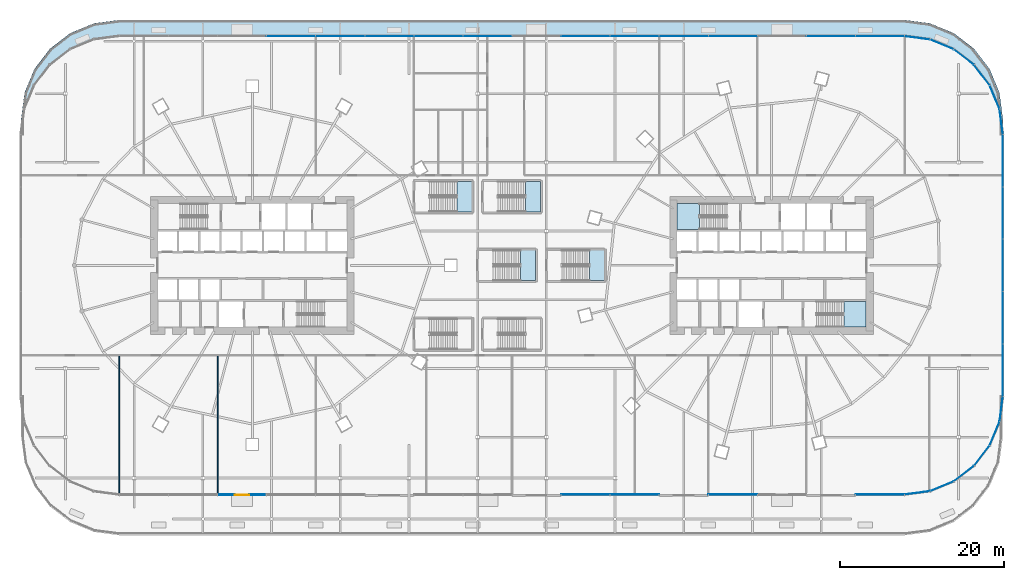
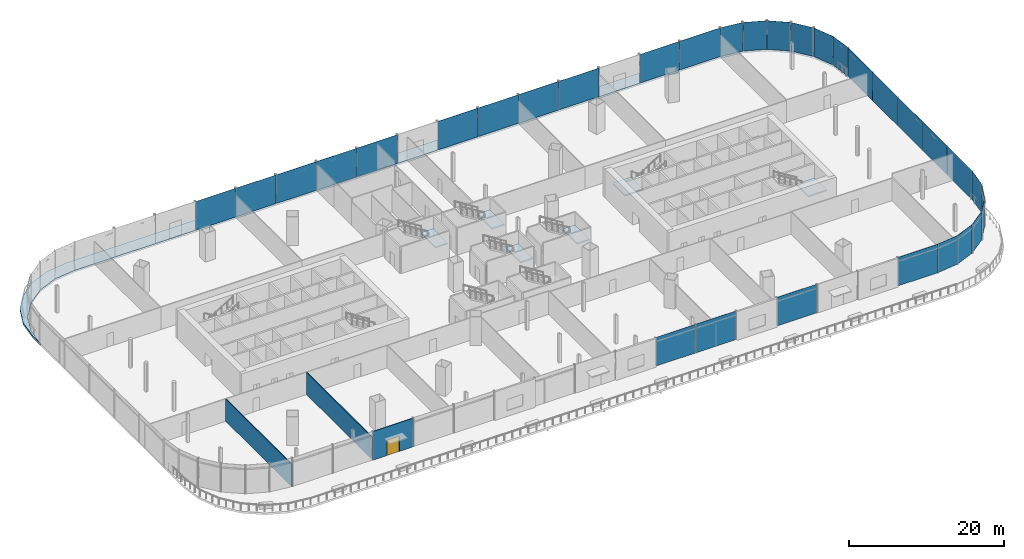
# One storey, part 32 of 52: 32 plates, 7 slabs, 3 walls, 1 door, 1 opening, 7 elements without a shape of their own.
"""IFC4 building model written with IfcOpenShell, lengths in metres."""

from ifc_helpers import new_model, si_unit, direction, frame, frame_2d, origin, origin_2d, place, context, subcontext, project, spatial, polyline, rectangle, outline, extrude, material, layer, layer_set, type_object, element, fill, aggregate, save


model = new_model("IFC4")

# Units and contexts
model_context = context("Model", 3, precision=1e-05, world=origin(), true_north=direction((0.0, 1.0)))
body_context = subcontext(model_context, "Body", "Model", "MODEL_VIEW")
ifc_project = project(units=[si_unit("LENGTHUNIT", "METRE"), si_unit("AREAUNIT", "SQUARE_METRE"), si_unit("VOLUMEUNIT", "CUBIC_METRE"), si_unit("PLANEANGLEUNIT", "RADIAN"), si_unit("MASSUNIT", "GRAM", prefix="KILO")], contexts=[model_context])

# Site, building, storey
site_placement = place(None, origin())
site = spatial("IfcSite", under=ifc_project, at=site_placement, CompositionType="ELEMENT")
building_placement = place(site_placement, origin())
building = spatial("IfcBuilding", under=site, at=building_placement, Name="Rimbun Link Towers", CompositionType="ELEMENT")
storey_placement = place(building_placement, frame((0.0, 0.0, 21.0)))
storey = spatial("IfcBuildingStorey", under=building, at=storey_placement, Name="L04", CompositionType="ELEMENT", Elevation=21.0)

# Curtain wall, plates
ifc_material_1 = material(Name="Aluminium 6063-T6 and low-iron glass", Category="aluminium")
curtain_wall_type = type_object("IfcCurtainWallType", Name="CW3 podium shopfront", PredefinedType="NOTDEFINED", material=ifc_material_1)
curtain_wall_placement = place(storey_placement, origin())
curtain_wall = element("IfcCurtainWall", 1, at=curtain_wall_placement, inside=storey, type_object=curtain_wall_type, Name="CW3 L04 PD", PredefinedType="NOTDEFINED")
ifc_material_2 = material(Name="Clear toughened low-iron glass", Category="glass")
ifc_layer_1 = layer(ifc_material_2, 0.02392578125)
ifc_layer_set_1 = layer_set([ifc_layer_1], Name="CW3 panel Clear toughened low-iron glass 24")
plate_type = type_object("IfcPlateType", Name="CW3 panel Clear toughened low-iron glass 24", PredefinedType="CURTAIN_PANEL", material=ifc_layer_set_1)
plate_1_placement = place(storey_placement, frame((49.554443359375, -27.807373046875, 0.0), z_axis=(0.0, 0.0, 1.0), x_axis=(-0.991444296525, -0.130530482602, 0.0)))
plate_1 = element("IfcPlate", 2, at=plate_1_placement, type_object=plate_type, Name="CW3 panel", PredefinedType="CURTAIN_PANEL", context=body_context, shape_type="SweptSolid", body=[
    extrude(rectangle(XDim=3.092529296875, YDim=0.02392578125, at=origin_2d()), origin(), (0.0, 0.0, 1.0), 4.5),
])
plate_2_placement = place(storey_placement, frame((52.557373046875, -27.002685546875, 0.0), z_axis=(0.0, 0.0, 1.0), x_axis=(-0.923881438965, -0.382678829747, 0.0)))
plate_2 = element("IfcPlate", 3, at=plate_2_placement, type_object=plate_type, Name="CW3 panel", PredefinedType="CURTAIN_PANEL", context=body_context, shape_type="SweptSolid", body=[
    extrude(rectangle(XDim=3.0927734375, YDim=0.02392578125, at=origin_2d()), origin(), (0.0, 0.0, 1.0), 4.5),
])
plate_3_placement = place(storey_placement, frame((55.25, -25.4482421875, 0.0), z_axis=(0.0, 0.0, 1.0), x_axis=(-0.793359162281, -0.608753841569, 0.0)))
plate_3 = element("IfcPlate", 4, at=plate_3_placement, type_object=plate_type, Name="CW3 panel", PredefinedType="CURTAIN_PANEL", context=body_context, shape_type="SweptSolid", body=[
    extrude(rectangle(XDim=3.092529296875, YDim=0.02392578125, at=origin_2d()), origin(), (0.0, 0.0, 1.0), 4.5),
])
plate_4_placement = place(storey_placement, frame((57.4482421875, -23.25, 0.0), z_axis=(0.0, 0.0, 1.0), x_axis=(-0.608753841569, -0.793359162281, 0.0)))
plate_4 = element("IfcPlate", 5, at=plate_4_placement, type_object=plate_type, Name="CW3 panel", PredefinedType="CURTAIN_PANEL", context=body_context, shape_type="SweptSolid", body=[
    extrude(rectangle(XDim=3.092529296875, YDim=0.02392578125, at=origin_2d()), origin(), (0.0, 0.0, 1.0), 4.5),
])
plate_5_placement = place(storey_placement, frame((59.002685546875, -20.557373046875, 0.0), z_axis=(0.0, 0.0, 1.0), x_axis=(-0.382678829747, -0.923881438965, 0.0)))
plate_5 = element("IfcPlate", 6, at=plate_5_placement, type_object=plate_type, Name="CW3 panel", PredefinedType="CURTAIN_PANEL", context=body_context, shape_type="SweptSolid", body=[
    extrude(rectangle(XDim=3.0927734375, YDim=0.02392578125, at=origin_2d()), origin(), (0.0, 0.0, 1.0), 4.5),
])
plate_6_placement = place(storey_placement, frame((59.807373046875, -17.554443359375, 0.0), z_axis=(0.0, 0.0, 1.0), x_axis=(-0.130530482602, -0.991444296525, 0.0)))
plate_6 = element("IfcPlate", 7, at=plate_6_placement, type_object=plate_type, Name="CW3 panel", PredefinedType="CURTAIN_PANEL", context=body_context, shape_type="SweptSolid", body=[
    extrude(rectangle(XDim=3.092529296875, YDim=0.02392578125, at=origin_2d()), origin(), (0.0, 0.0, 1.0), 4.5),
])
plate_7_placement = place(storey_placement, frame((60.011962890625, -12.800048828125, 0.0), z_axis=(0.0, 0.0, 1.0), x_axis=(0.0, -1.0, 0.0)))
plate_7 = element("IfcPlate", 8, at=plate_7_placement, type_object=plate_type, Name="CW3 panel", PredefinedType="CURTAIN_PANEL", context=body_context, shape_type="SweptSolid", body=[
    extrude(rectangle(XDim=6.360107421875, YDim=0.02392578125, at=origin_2d()), origin(), (0.0, 0.0, 1.0), 4.5),
])
plate_8_placement = place(storey_placement, frame((60.011962890625, -6.39990234375, 0.0), z_axis=(0.0, 0.0, 1.0), x_axis=(0.0, -1.0, 0.0)))
plate_8 = element("IfcPlate", 9, at=plate_8_placement, type_object=plate_type, Name="CW3 panel", PredefinedType="CURTAIN_PANEL", context=body_context, shape_type="SweptSolid", body=[
    extrude(rectangle(XDim=6.360107421875, YDim=0.02392578125, at=origin_2d()), origin(), (0.0, 0.0, 1.0), 4.5),
])
plate_9_placement = place(storey_placement, frame((60.011962890625, 0.0, 0.0), z_axis=(0.0, 0.0, 1.0), x_axis=(0.0, -1.0, 0.0)))
plate_9 = element("IfcPlate", 10, at=plate_9_placement, type_object=plate_type, Name="CW3 panel", PredefinedType="CURTAIN_PANEL", context=body_context, shape_type="SweptSolid", body=[
    extrude(rectangle(XDim=6.360107421875, YDim=0.02392578125, at=origin_2d()), origin(), (0.0, 0.0, 1.0), 4.5),
])
plate_10_placement = place(storey_placement, frame((60.011962890625, 6.39990234375, 0.0), z_axis=(0.0, 0.0, 1.0), x_axis=(0.0, -1.0, 0.0)))
plate_10 = element("IfcPlate", 11, at=plate_10_placement, type_object=plate_type, Name="CW3 panel", PredefinedType="CURTAIN_PANEL", context=body_context, shape_type="SweptSolid", body=[
    extrude(rectangle(XDim=6.360107421875, YDim=0.02392578125, at=origin_2d()), origin(), (0.0, 0.0, 1.0), 4.5),
])
plate_11_placement = place(storey_placement, frame((60.011962890625, 12.800048828125, 0.0), z_axis=(0.0, 0.0, 1.0), x_axis=(0.0, -1.0, 0.0)))
plate_11 = element("IfcPlate", 12, at=plate_11_placement, type_object=plate_type, Name="CW3 panel", PredefinedType="CURTAIN_PANEL", context=body_context, shape_type="SweptSolid", body=[
    extrude(rectangle(XDim=6.360107421875, YDim=0.02392578125, at=origin_2d()), origin(), (0.0, 0.0, 1.0), 4.5),
])
plate_12_placement = place(storey_placement, frame((59.807373046875, 17.554443359375, 0.0), z_axis=(0.0, 0.0, 1.0), x_axis=(0.130530482602, -0.991444296525, 0.0)))
plate_12 = element("IfcPlate", 13, at=plate_12_placement, type_object=plate_type, Name="CW3 panel", PredefinedType="CURTAIN_PANEL", context=body_context, shape_type="SweptSolid", body=[
    extrude(rectangle(XDim=3.092529296875, YDim=0.02392578125, at=origin_2d()), origin(), (0.0, 0.0, 1.0), 4.5),
])
plate_13_placement = place(storey_placement, frame((59.002685546875, 20.557373046875, 0.0), z_axis=(0.0, 0.0, 1.0), x_axis=(0.382678829747, -0.923881438965, 0.0)))
plate_13 = element("IfcPlate", 14, at=plate_13_placement, type_object=plate_type, Name="CW3 panel", PredefinedType="CURTAIN_PANEL", context=body_context, shape_type="SweptSolid", body=[
    extrude(rectangle(XDim=3.0927734375, YDim=0.02392578125, at=origin_2d()), origin(), (0.0, 0.0, 1.0), 4.5),
])
plate_14_placement = place(storey_placement, frame((57.4482421875, 23.25, 0.0), z_axis=(0.0, 0.0, 1.0), x_axis=(0.608753841569, -0.793359162281, 0.0)))
plate_14 = element("IfcPlate", 15, at=plate_14_placement, type_object=plate_type, Name="CW3 panel", PredefinedType="CURTAIN_PANEL", context=body_context, shape_type="SweptSolid", body=[
    extrude(rectangle(XDim=3.092529296875, YDim=0.02392578125, at=origin_2d()), origin(), (0.0, 0.0, 1.0), 4.5),
])
plate_15_placement = place(storey_placement, frame((55.25, 25.4482421875, 0.0), z_axis=(0.0, 0.0, 1.0), x_axis=(0.793359162281, -0.608753841569, 0.0)))
plate_15 = element("IfcPlate", 16, at=plate_15_placement, type_object=plate_type, Name="CW3 panel", PredefinedType="CURTAIN_PANEL", context=body_context, shape_type="SweptSolid", body=[
    extrude(rectangle(XDim=3.092529296875, YDim=0.02392578125, at=origin_2d()), origin(), (0.0, 0.0, 1.0), 4.5),
])
plate_16_placement = place(storey_placement, frame((52.557373046875, 27.002685546875, 0.0), z_axis=(0.0, 0.0, 1.0), x_axis=(0.923881438965, -0.382678829747, 0.0)))
plate_16 = element("IfcPlate", 17, at=plate_16_placement, type_object=plate_type, Name="CW3 panel", PredefinedType="CURTAIN_PANEL", context=body_context, shape_type="SweptSolid", body=[
    extrude(rectangle(XDim=3.0927734375, YDim=0.02392578125, at=origin_2d()), origin(), (0.0, 0.0, 1.0), 4.5),
])
plate_17_placement = place(storey_placement, frame((49.554443359375, 27.807373046875, 0.0), z_axis=(0.0, 0.0, 1.0), x_axis=(0.991444296525, -0.130530482602, 0.0)))
plate_17 = element("IfcPlate", 18, at=plate_17_placement, type_object=plate_type, Name="CW3 panel", PredefinedType="CURTAIN_PANEL", context=body_context, shape_type="SweptSolid", body=[
    extrude(rectangle(XDim=3.092529296875, YDim=0.02392578125, at=origin_2d()), origin(), (0.0, 0.0, 1.0), 4.5),
])
plate_18_placement = place(storey_placement, frame((45.0, 28.011962890625, 0.0), z_axis=(0.0, 0.0, 1.0), x_axis=(1.0, 0.0, 0.0)))
plate_18 = element("IfcPlate", 19, at=plate_18_placement, type_object=plate_type, Name="CW3 panel", PredefinedType="CURTAIN_PANEL", context=body_context, shape_type="SweptSolid", body=[
    extrude(rectangle(XDim=5.9599609375, YDim=0.02392578125, at=origin_2d()), origin(), (0.0, 0.0, 1.0), 4.5),
])
plate_19_placement = place(storey_placement, frame((39.0, 28.011962890625, 0.0), z_axis=(0.0, 0.0, 1.0), x_axis=(1.0, 0.0, 0.0)))
plate_19 = element("IfcPlate", 20, at=plate_19_placement, type_object=plate_type, Name="CW3 panel", PredefinedType="CURTAIN_PANEL", context=body_context, shape_type="SweptSolid", body=[
    extrude(rectangle(XDim=5.9599609375, YDim=0.02392578125, at=origin_2d()), origin(), (0.0, 0.0, 1.0), 4.5),
])
plate_20_placement = place(storey_placement, frame((27.0, 28.011962890625, 0.0), z_axis=(0.0, 0.0, 1.0), x_axis=(1.0, 0.0, 0.0)))
plate_20 = element("IfcPlate", 21, at=plate_20_placement, type_object=plate_type, Name="CW3 panel", PredefinedType="CURTAIN_PANEL", context=body_context, shape_type="SweptSolid", body=[
    extrude(rectangle(XDim=5.9599609375, YDim=0.02392578125, at=origin_2d()), origin(), (0.0, 0.0, 1.0), 4.5),
])
plate_21_placement = place(storey_placement, frame((21.0, 28.011962890625, 0.0), z_axis=(0.0, 0.0, 1.0), x_axis=(1.0, 0.0, 0.0)))
plate_21 = element("IfcPlate", 22, at=plate_21_placement, type_object=plate_type, Name="CW3 panel", PredefinedType="CURTAIN_PANEL", context=body_context, shape_type="SweptSolid", body=[
    extrude(rectangle(XDim=5.9599609375, YDim=0.02392578125, at=origin_2d()), origin(), (0.0, 0.0, 1.0), 4.5),
])
plate_22_placement = place(storey_placement, frame((15.0, 28.011962890625, 0.0), z_axis=(0.0, 0.0, 1.0), x_axis=(1.0, 0.0, 0.0)))
plate_22 = element("IfcPlate", 23, at=plate_22_placement, type_object=plate_type, Name="CW3 panel", PredefinedType="CURTAIN_PANEL", context=body_context, shape_type="SweptSolid", body=[
    extrude(rectangle(XDim=5.9599609375, YDim=0.02392578125, at=origin_2d()), origin(), (0.0, 0.0, 1.0), 4.5),
])
plate_23_placement = place(storey_placement, frame((9.0, 28.011962890625, 0.0), z_axis=(0.0, 0.0, 1.0), x_axis=(1.0, 0.0, 0.0)))
plate_23 = element("IfcPlate", 24, at=plate_23_placement, type_object=plate_type, Name="CW3 panel", PredefinedType="CURTAIN_PANEL", context=body_context, shape_type="SweptSolid", body=[
    extrude(rectangle(XDim=5.9599609375, YDim=0.02392578125, at=origin_2d()), origin(), (0.0, 0.0, 1.0), 4.5),
])
plate_24_placement = place(storey_placement, frame((-3.0, 28.011962890625, 0.0), z_axis=(0.0, 0.0, 1.0), x_axis=(1.0, 0.0, 0.0)))
plate_24 = element("IfcPlate", 25, at=plate_24_placement, type_object=plate_type, Name="CW3 panel", PredefinedType="CURTAIN_PANEL", context=body_context, shape_type="SweptSolid", body=[
    extrude(rectangle(XDim=5.9599609375, YDim=0.02392578125, at=origin_2d()), origin(), (0.0, 0.0, 1.0), 4.5),
])
plate_25_placement = place(storey_placement, frame((-9.0, 28.011962890625, 0.0), z_axis=(0.0, 0.0, 1.0), x_axis=(1.0, 0.0, 0.0)))
plate_25 = element("IfcPlate", 26, at=plate_25_placement, type_object=plate_type, Name="CW3 panel", PredefinedType="CURTAIN_PANEL", context=body_context, shape_type="SweptSolid", body=[
    extrude(rectangle(XDim=5.9599609375, YDim=0.02392578125, at=origin_2d()), origin(), (0.0, 0.0, 1.0), 4.5),
])
plate_26_placement = place(storey_placement, frame((-15.0, 28.011962890625, 0.0), z_axis=(0.0, 0.0, 1.0), x_axis=(1.0, 0.0, 0.0)))
plate_26 = element("IfcPlate", 27, at=plate_26_placement, type_object=plate_type, Name="CW3 panel", PredefinedType="CURTAIN_PANEL", context=body_context, shape_type="SweptSolid", body=[
    extrude(rectangle(XDim=5.9599609375, YDim=0.02392578125, at=origin_2d()), origin(), (0.0, 0.0, 1.0), 4.5),
])
plate_27_placement = place(storey_placement, frame((-21.0, 28.011962890625, 0.0), z_axis=(0.0, 0.0, 1.0), x_axis=(1.0, 0.0, 0.0)))
plate_27 = element("IfcPlate", 28, at=plate_27_placement, type_object=plate_type, Name="CW3 panel", PredefinedType="CURTAIN_PANEL", context=body_context, shape_type="SweptSolid", body=[
    extrude(rectangle(XDim=5.9599609375, YDim=0.02392578125, at=origin_2d()), origin(), (0.0, 0.0, 1.0), 4.5),
])
plate_28_placement = place(storey_placement, frame((-27.0, 28.011962890625, 0.0), z_axis=(0.0, 0.0, 1.0), x_axis=(1.0, 0.0, 0.0)))
plate_28 = element("IfcPlate", 29, at=plate_28_placement, type_object=plate_type, Name="CW3 panel", PredefinedType="CURTAIN_PANEL", context=body_context, shape_type="SweptSolid", body=[
    extrude(rectangle(XDim=5.9599609375, YDim=0.02392578125, at=origin_2d()), origin(), (0.0, 0.0, 1.0), 4.5),
])
plate_29_placement = place(storey_placement, frame((9.0, -28.011962890625, 0.0), z_axis=(0.0, 0.0, 1.0), x_axis=(-1.0, 0.0, 0.0)))
plate_29 = element("IfcPlate", 30, at=plate_29_placement, type_object=plate_type, Name="CW3 panel", PredefinedType="CURTAIN_PANEL", context=body_context, shape_type="SweptSolid", body=[
    extrude(rectangle(XDim=5.9599609375, YDim=0.02392578125, at=origin_2d()), origin(), (0.0, 0.0, 1.0), 4.5),
])
plate_30_placement = place(storey_placement, frame((15.0, -28.011962890625, 0.0), z_axis=(0.0, 0.0, 1.0), x_axis=(-1.0, 0.0, 0.0)))
plate_30 = element("IfcPlate", 31, at=plate_30_placement, type_object=plate_type, Name="CW3 panel", PredefinedType="CURTAIN_PANEL", context=body_context, shape_type="SweptSolid", body=[
    extrude(rectangle(XDim=5.9599609375, YDim=0.02392578125, at=origin_2d()), origin(), (0.0, 0.0, 1.0), 4.5),
])
plate_31_placement = place(storey_placement, frame((27.0, -28.011962890625, 0.0), z_axis=(0.0, 0.0, 1.0), x_axis=(-1.0, 0.0, 0.0)))
plate_31 = element("IfcPlate", 32, at=plate_31_placement, type_object=plate_type, Name="CW3 panel", PredefinedType="CURTAIN_PANEL", context=body_context, shape_type="SweptSolid", body=[
    extrude(rectangle(XDim=5.9599609375, YDim=0.02392578125, at=origin_2d()), origin(), (0.0, 0.0, 1.0), 4.5),
])
plate_32_placement = place(storey_placement, frame((45.0, -28.011962890625, 0.0), z_axis=(0.0, 0.0, 1.0), x_axis=(-1.0, 0.0, 0.0)))
plate_32 = element("IfcPlate", 33, at=plate_32_placement, type_object=plate_type, Name="CW3 panel", PredefinedType="CURTAIN_PANEL", context=body_context, shape_type="SweptSolid", body=[
    extrude(rectangle(XDim=5.9599609375, YDim=0.02392578125, at=origin_2d()), origin(), (0.0, 0.0, 1.0), 4.5),
])
aggregate(curtain_wall, [plate_1, plate_2, plate_3, plate_4, plate_5, plate_6, plate_7, plate_8, plate_9, plate_10, plate_11, plate_12, plate_13, plate_14, plate_15, plate_16, plate_17, plate_18, plate_19, plate_20, plate_21, plate_22, plate_23, plate_24, plate_25, plate_26, plate_27, plate_28, plate_29, plate_30, plate_31, plate_32])

# Slab
ifc_material_3 = material(Name="Concrete C40/50", Category="concrete")
ifc_layer_2 = layer(ifc_material_3, 0.300048828125)
ifc_layer_set_2 = layer_set([ifc_layer_2], Name="PODIUM TERRACE SLAB 300")
slab_type_1 = type_object("IfcSlabType", Name="PODIUM TERRACE SLAB 300", PredefinedType="FLOOR", material=ifc_layer_set_2)
slab_1_placement = place(storey_placement, frame((0.0, 0.0, -0.300048828125)))
element("IfcSlab", 34, at=slab_1_placement, inside=storey, type_object=slab_type_1, Name="Terrace slab L04", PredefinedType="FLOOR", context=body_context, shape_type="SweptSolid", body=[
    extrude(outline(polyline([(-59.591064453125, 21.105712890625), (-58.392333984375, 24.0), (-56.4853515625, 26.4853515625), (-54.0, 28.392333984375), (-51.105712890625, 29.591064453125), (-48.0, 30.0), (48.0, 30.0), (51.105712890625, 29.591064453125), (54.0, 28.392333984375), (56.4853515625, 26.4853515625), (58.392333984375, 24.0), (59.591064453125, 21.105712890625), (60.0, 18.0), (60.0, 16.0), (59.591064453125, 19.105712890625), (58.392333984375, 22.0), (56.4853515625, 24.4853515625), (54.0, 26.392333984375), (51.105712890625, 27.591064453125), (48.0, 28.0), (-48.0, 28.0), (-51.105712890625, 27.591064453125), (-54.0, 26.392333984375), (-56.4853515625, 24.4853515625), (-58.392333984375, 22.0), (-59.591064453125, 19.105712890625), (-60.0, 16.0), (-60.0, 18.0), (-59.591064453125, 21.105712890625)])), origin(), (0.0, 0.0, 1.0), 0.300048828125),
])

# Stair, slab
ifc_material_4 = material(Name="Concrete C40/50", Category="concrete")
stair_type_1 = type_object("IfcStairType", Name="Exit stair 4500 rise", PredefinedType="HALF_TURN_STAIR", material=ifc_material_4)
stair_1_placement = place(storey_placement, origin())
stair_1 = element("IfcStair", 35, at=stair_1_placement, inside=storey, type_object=stair_type_1, Name="L04 EXIT STAIR A", PredefinedType="HALF_TURN_STAIR")
ifc_material_5 = material(Name="Concrete C40/50", Category="concrete")
ifc_layer_3 = layer(ifc_material_5, 0.199951171875)
ifc_layer_set_3 = layer_set([ifc_layer_3], Name="Stair landing")
slab_type_2 = type_object("IfcSlabType", Name="Stair landing", PredefinedType="LANDING", material=ifc_layer_set_3)
slab_2_placement = place(storey_placement, frame((0.0, 0.0, 2.050048828125)))
slab_2 = element("IfcSlab", 36, at=slab_2_placement, type_object=slab_type_2, Name="ST3 landing 1", PredefinedType="LANDING", context=body_context, shape_type="SweptSolid", body=[
    extrude(outline(polyline([(22.93994140625, 7.550048828125), (20.199951171875, 7.550048828125), (20.199951171875, 4.39990234375), (22.93994140625, 4.39990234375), (22.93994140625, 7.550048828125)])), origin(), (0.0, 0.0, 1.0), 0.199951171875),
])
aggregate(stair_1, [slab_2])

stair_2_placement = place(storey_placement, origin())
stair_2 = element("IfcStair", 37, at=stair_2_placement, inside=storey, type_object=stair_type_1, Name="L04 EXIT STAIR B", PredefinedType="HALF_TURN_STAIR")
slab_3_placement = place(storey_placement, frame((0.0, 0.0, 2.050048828125)))
slab_3 = element("IfcSlab", 38, at=slab_3_placement, type_object=slab_type_2, Name="ST4 landing 1", PredefinedType="LANDING", context=body_context, shape_type="SweptSolid", body=[
    extrude(outline(polyline([(40.56005859375, -7.550048828125), (43.300048828125, -7.550048828125), (43.300048828125, -4.39990234375), (40.56005859375, -4.39990234375), (40.56005859375, -7.550048828125)])), origin(), (0.0, 0.0, 1.0), 0.199951171875),
])
aggregate(stair_2, [slab_3])

ifc_material_6 = material(Name="Concrete C40/50", Category="concrete")
stair_type_2 = type_object("IfcStairType", Name="Podium exit stair 1800", PredefinedType="HALF_TURN_STAIR", material=ifc_material_6)
stair_3_placement = place(storey_placement, origin())
stair_3 = element("IfcStair", 39, at=stair_3_placement, inside=storey, type_object=stair_type_2, Name="L04 PODIUM EXIT STAIR", PredefinedType="HALF_TURN_STAIR")
slab_4_placement = place(storey_placement, frame((0.0, 0.0, 2.050048828125)))
slab_4 = element("IfcSlab", 40, at=slab_4_placement, type_object=slab_type_2, Name="PS3 landing 1", PredefinedType="LANDING", context=body_context, shape_type="SweptSolid", body=[
    extrude(outline(polyline([(-6.739990234375, 6.52490234375), (-4.89990234375, 6.52490234375), (-4.89990234375, 10.27490234375), (-6.739990234375, 10.27490234375), (-6.739990234375, 6.52490234375)])), origin(), (0.0, 0.0, 1.0), 0.199951171875),
])
aggregate(stair_3, [slab_4])

stair_4_placement = place(storey_placement, origin())
stair_4 = element("IfcStair", 41, at=stair_4_placement, inside=storey, type_object=stair_type_2, Name="L04 PODIUM EXIT STAIR", PredefinedType="HALF_TURN_STAIR")
slab_5_placement = place(storey_placement, frame((0.0, 0.0, 2.050048828125)))
slab_5 = element("IfcSlab", 42, at=slab_5_placement, type_object=slab_type_2, Name="PS4 landing 1", PredefinedType="LANDING", context=body_context, shape_type="SweptSolid", body=[
    extrude(outline(polyline([(1.659912109375, 6.52490234375), (3.5, 6.52490234375), (3.5, 10.27490234375), (1.659912109375, 10.27490234375), (1.659912109375, 6.52490234375)])), origin(), (0.0, 0.0, 1.0), 0.199951171875),
])
aggregate(stair_4, [slab_5])

stair_5_placement = place(storey_placement, origin())
stair_5 = element("IfcStair", 43, at=stair_5_placement, inside=storey, type_object=stair_type_2, Name="L04 PODIUM EXIT STAIR", PredefinedType="HALF_TURN_STAIR")
slab_6_placement = place(storey_placement, frame((0.0, 0.0, 2.050048828125)))
slab_6 = element("IfcSlab", 44, at=slab_6_placement, type_object=slab_type_2, Name="PS5 landing 1", PredefinedType="LANDING", context=body_context, shape_type="SweptSolid", body=[
    extrude(outline(polyline([(9.4599609375, -1.875), (11.300048828125, -1.875), (11.300048828125, 1.875), (9.4599609375, 1.875), (9.4599609375, -1.875)])), origin(), (0.0, 0.0, 1.0), 0.199951171875),
])
aggregate(stair_5, [slab_6])

stair_6_placement = place(storey_placement, origin())
stair_6 = element("IfcStair", 45, at=stair_6_placement, inside=storey, type_object=stair_type_2, Name="L04 PODIUM EXIT STAIR", PredefinedType="HALF_TURN_STAIR")
slab_7_placement = place(storey_placement, frame((0.0, 0.0, 2.050048828125)))
slab_7 = element("IfcSlab", 46, at=slab_7_placement, type_object=slab_type_2, Name="PS6 landing 1", PredefinedType="LANDING", context=body_context, shape_type="SweptSolid", body=[
    extrude(outline(polyline([(1.06005859375, -1.875), (2.89990234375, -1.875), (2.89990234375, 1.875), (1.06005859375, 1.875), (1.06005859375, -1.875)])), origin(), (0.0, 0.0, 1.0), 0.199951171875),
])
aggregate(stair_6, [slab_7])

# Wall, opening, door
ifc_material_7 = material(Name="Aluminium framed insulated infill panel", Category="aluminium")
ifc_layer_4 = layer(ifc_material_7, 0.10009765625)
ifc_layer_set_4 = layer_set([ifc_layer_4], Name="ED framed infill wall 100")
wall_type_1 = type_object("IfcWallType", Name="ED framed infill wall 100", PredefinedType="STANDARD", material=ifc_layer_set_4)
wall_placement = place(storey_placement, frame((-30.02001953125, -28.050048828125, 0.0), z_axis=(0.0, 0.0, 1.0), x_axis=(-1.0, 0.0, 0.0)))
wall = element("IfcWall", 47, at=wall_placement, inside=storey, type_object=wall_type_1, Name="Framed door bay wall", PredefinedType="STANDARD", context=body_context, shape_type="SweptSolid", body=[
    extrude(rectangle(XDim=5.9599609375, YDim=0.10009765625, at=frame_2d((2.97998046875, 0.0))), origin(), (0.0, 0.0, 1.0), 4.5),
])
opening_placement = place(wall_placement, frame((2.080078125, 0.0, 0.0)))
opening = element("IfcOpeningElement", 48, at=opening_placement, cuts=wall, Name="Opening ED41", PredefinedType="OPENING", context=body_context, shape_type="SweptSolid", body=[
    extrude(rectangle(XDim=1.800048828125, YDim=2.39990234375, at=frame_2d((0.89990234375, 1.199951171875))), frame((0.0, 0.06005859375, 0.0), z_axis=(0.0, -1.0, 0.0), x_axis=(1.0, 0.0, 0.0)), (0.0, 0.0, 1.0), 0.1201171875),
])
ifc_material_8 = material(Name="Aluminium framed glazed door, low-iron glass", Category="aluminium")
door_type = type_object("IfcDoorType", Name="ED terrace door double leaf 1800X2400", OperationType="DOUBLE_DOOR_SINGLE_SWING", PredefinedType="DOOR", material=ifc_material_8)
door_placement = place(opening_placement, origin())
door = element("IfcDoor", 49, at=door_placement, inside=storey, type_object=door_type, Name="Terrace door", OperationType="SINGLE_SWING_LEFT", OverallHeight=2.39990234375, OverallWidth=1.800048828125, PredefinedType="DOOR", context=body_context, shape_type="SweptSolid", body=[
    extrude(rectangle(XDim=1.800048828125, YDim=2.39990234375, at=frame_2d((0.89990234375, 1.199951171875))), frame((0.0, 0.02490234375, 0.0), z_axis=(0.0, -1.0, 0.0), x_axis=(1.0, 0.0, 0.0)), (0.0, 0.0, 1.0), 0.050048828125),
])
fill(opening, door)

# Walls
ifc_material_9 = material(Name="Gypsum board on steel studs", Category="steel")
ifc_layer_5 = layer(ifc_material_9, 0.125)
ifc_layer_set_5 = layer_set([ifc_layer_5], Name="Partition 125 board on studs")
wall_type_2 = type_object("IfcWallType", Name="Partition 125 board on studs", PredefinedType="PARTITIONING", material=ifc_layer_set_5)
for number, where, z_axis, x_axis, name in (
    (50, (-48.0, -28.080078125, 0.0), (0.0, 0.0, 1.0), (0.0, 1.0, 0.0), "PD/PW/L04/045"),
    (51, (-36.0, -28.080078125, 0.0), (0.0, 0.0, 1.0), (0.0, 1.0, 0.0), "PD/PW/L04/046"),
):
    element("IfcWall", number, at=place(storey_placement, frame(where, z_axis=z_axis, x_axis=x_axis)), inside=storey, type_object=wall_type_2, Name=name, PredefinedType="PARTITIONING", context=body_context, shape_type="SweptSolid", body=[
        extrude(rectangle(XDim=17.017578125, YDim=0.125, at=frame_2d((8.5087890625, 0.0))), origin(), (0.0, 0.0, 1.0), 3.49609375),
    ])

save(model, "model.ifc")
